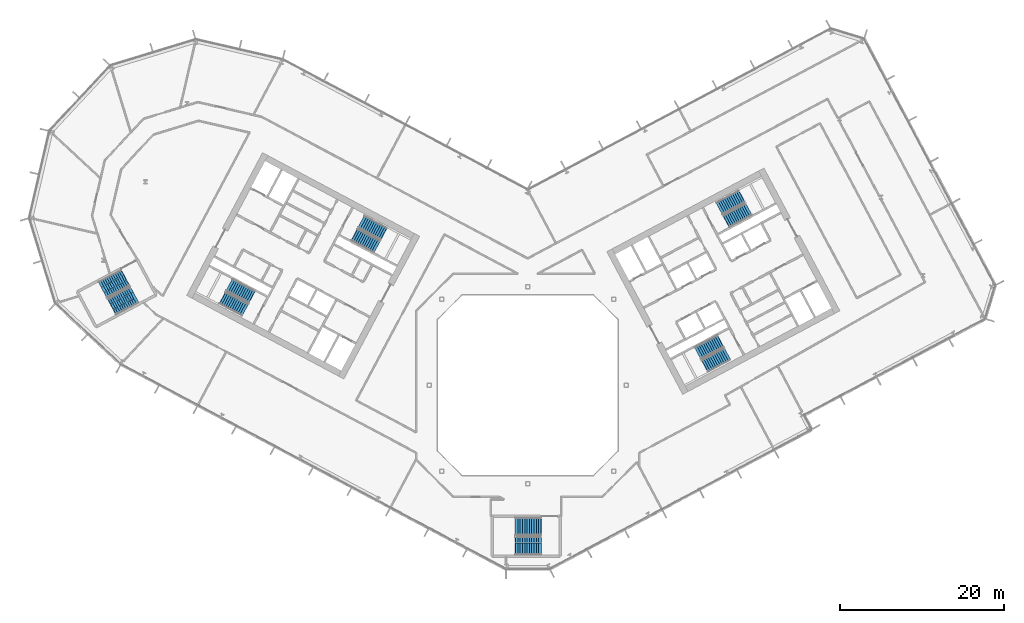
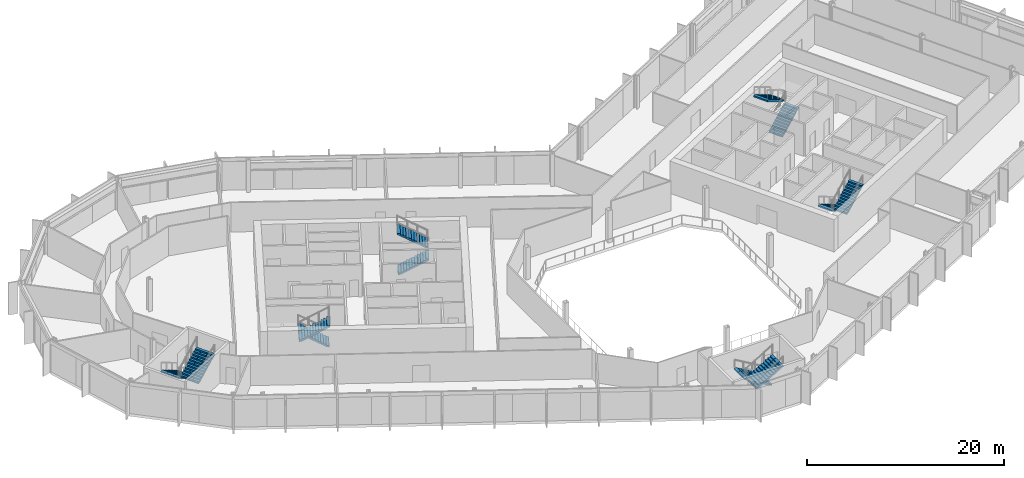
# One storey, part 18 of 28: 12 stair flights, 6 elements without a shape of their own.
"""IFC4 building model written with IfcOpenShell, lengths in metres."""

from ifc_helpers import new_model, si_unit, direction, frame, origin, place, context, subcontext, project, spatial, polyline, outline, extrude, material, type_object, element, aggregate, save


model = new_model("IFC4")

# Units and contexts
model_context = context("Model", 3, precision=1e-05, world=origin(), true_north=direction((0.0, 1.0)))
body_context = subcontext(model_context, "Body", "Model", "MODEL_VIEW")
ifc_project = project(units=[si_unit("LENGTHUNIT", "METRE"), si_unit("AREAUNIT", "SQUARE_METRE"), si_unit("VOLUMEUNIT", "CUBIC_METRE"), si_unit("PLANEANGLEUNIT", "RADIAN"), si_unit("MASSUNIT", "GRAM", prefix="KILO")], contexts=[model_context])

# Site, building, storey
site_placement = place(None, origin())
site = spatial("IfcSite", under=ifc_project, at=site_placement, CompositionType="ELEMENT")
building_placement = place(site_placement, origin())
building = spatial("IfcBuilding", under=site, at=building_placement, Name="Cormorant Relay Tower", CompositionType="ELEMENT")
storey_placement = place(building_placement, frame((0.0, 0.0, 150.199951171875)))
storey = spatial("IfcBuildingStorey", under=building, at=storey_placement, Name="L31", CompositionType="ELEMENT", Elevation=150.199951171875)

# Stair, stair flights
ifc_material_1 = material(Name="Concrete 40 MPa", Category="concrete")
stair_type_1 = type_object("IfcStairType", Name="Exit stair 1500", PredefinedType="HALF_TURN_STAIR", material=ifc_material_1)
stair_1_placement = place(storey_placement, origin())
stair_1 = element("IfcStair", 1, at=stair_1_placement, inside=storey, type_object=stair_type_1, Name="L31 Stair", PredefinedType="HALF_TURN_STAIR")
ifc_material_2 = material(Name="Concrete 40 MPa", Category="concrete")
stair_flight_type_1 = type_object("IfcStairFlightType", Name="Exit stair flight 1650", PredefinedType="STRAIGHT", material=ifc_material_2)
stair_flight_1_placement = place(storey_placement, frame((-21.114501953125, 18.33349609375, 0.0), z_axis=(0.0, 0.0, 1.0), x_axis=(0.882947592859, -0.469471562786, 0.0)))
stair_flight_1 = element("IfcStairFlight", 2, at=stair_flight_1_placement, type_object=stair_flight_type_1, Name="A1 flight 1", NumberOfRisers=12, NumberOfTreads=11, PredefinedType="STRAIGHT", RiserHeight=0.166666667, TreadLength=0.28, context=body_context, shape_type="SweptSolid", body=[
    extrude(outline(polyline([(-0.050048828125, -0.080078125), (-0.050048828125, 0.0), (0.0, 0.0), (0.0, 0.166748046875), (0.280029296875, 0.166748046875), (0.280029296875, 0.333251953125), (0.56005859375, 0.333251953125), (0.56005859375, 0.5), (0.840087890625, 0.5), (0.840087890625, 0.666748046875), (1.1201171875, 0.666748046875), (1.1201171875, 0.833251953125), (1.39990234375, 0.833251953125), (1.39990234375, 1.0), (1.679931640625, 1.0), (1.679931640625, 1.166748046875), (1.9599609375, 1.166748046875), (1.9599609375, 1.333251953125), (2.239990234375, 1.333251953125), (2.239990234375, 1.5), (2.52001953125, 1.5), (2.52001953125, 1.666748046875), (2.800048828125, 1.666748046875), (2.800048828125, 1.833251953125), (3.080078125, 1.833251953125), (3.130126953125, 1.833251953125), (3.130126953125, 1.658935546875), (3.080078125, 1.658935546875), (0.29296875, 0.0), (-0.050048828125, -0.080078125)])), frame((0.0, 0.824951171875, 0.0), z_axis=(0.0, -1.0, 0.0), x_axis=(1.0, 0.0, 0.0)), (0.0, 0.0, 1.0), 1.64990234375),
])
stair_flight_2_placement = place(storey_placement, frame((-17.5498046875, 18.47705078125, 2.0), z_axis=(0.0, 0.0, 1.0), x_axis=(-0.882947592859, 0.469471562786, 0.0)))
stair_flight_2 = element("IfcStairFlight", 3, at=stair_flight_2_placement, type_object=stair_flight_type_1, Name="A1 flight 2", NumberOfRisers=12, NumberOfTreads=11, PredefinedType="STRAIGHT", RiserHeight=0.166666667, TreadLength=0.28, context=body_context, shape_type="SweptSolid", body=[
    extrude(outline(polyline([(-0.050048828125, -0.080078125), (-0.050048828125, 0.0), (0.0, 0.0), (0.0, 0.166748046875), (0.280029296875, 0.166748046875), (0.280029296875, 0.333251953125), (0.56005859375, 0.333251953125), (0.56005859375, 0.5), (0.840087890625, 0.5), (0.840087890625, 0.666748046875), (1.1201171875, 0.666748046875), (1.1201171875, 0.833251953125), (1.39990234375, 0.833251953125), (1.39990234375, 1.0), (1.679931640625, 1.0), (1.679931640625, 1.166748046875), (1.9599609375, 1.166748046875), (1.9599609375, 1.333251953125), (2.239990234375, 1.333251953125), (2.239990234375, 1.5), (2.52001953125, 1.5), (2.52001953125, 1.666748046875), (2.800048828125, 1.666748046875), (2.800048828125, 1.833251953125), (3.080078125, 1.833251953125), (3.130126953125, 1.833251953125), (3.130126953125, 1.658935546875), (3.080078125, 1.658935546875), (0.29296875, 0.0), (-0.050048828125, -0.080078125)])), frame((0.0, 0.824951171875, 0.0), z_axis=(0.0, -1.0, 0.0), x_axis=(1.0, 0.0, 0.0)), (0.0, 0.0, 1.0), 1.64990234375),
])
aggregate(stair_1, [stair_flight_1, stair_flight_2])

stair_2_placement = place(storey_placement, origin())
stair_2 = element("IfcStair", 4, at=stair_2_placement, inside=storey, type_object=stair_type_1, Name="L31 Stair", PredefinedType="HALF_TURN_STAIR")
stair_flight_3_placement = place(storey_placement, frame((-33.62841796875, 10.773681640625, 0.0), z_axis=(0.0, 0.0, 1.0), x_axis=(-0.882947592859, 0.469471562786, 0.0)))
stair_flight_3 = element("IfcStairFlight", 5, at=stair_flight_3_placement, type_object=stair_flight_type_1, Name="A2 flight 1", NumberOfRisers=12, NumberOfTreads=11, PredefinedType="STRAIGHT", RiserHeight=0.166666667, TreadLength=0.28, context=body_context, shape_type="SweptSolid", body=[
    extrude(outline(polyline([(-0.050048828125, -0.080078125), (-0.050048828125, 0.0), (0.0, 0.0), (0.0, 0.166748046875), (0.280029296875, 0.166748046875), (0.280029296875, 0.333251953125), (0.56005859375, 0.333251953125), (0.56005859375, 0.5), (0.840087890625, 0.5), (0.840087890625, 0.666748046875), (1.1201171875, 0.666748046875), (1.1201171875, 0.833251953125), (1.39990234375, 0.833251953125), (1.39990234375, 1.0), (1.679931640625, 1.0), (1.679931640625, 1.166748046875), (1.9599609375, 1.166748046875), (1.9599609375, 1.333251953125), (2.239990234375, 1.333251953125), (2.239990234375, 1.5), (2.52001953125, 1.5), (2.52001953125, 1.666748046875), (2.800048828125, 1.666748046875), (2.800048828125, 1.833251953125), (3.080078125, 1.833251953125), (3.130126953125, 1.833251953125), (3.130126953125, 1.658935546875), (3.080078125, 1.658935546875), (0.29296875, 0.0), (-0.050048828125, -0.080078125)])), frame((0.0, 0.824951171875, 0.0), z_axis=(0.0, -1.0, 0.0), x_axis=(1.0, 0.0, 0.0)), (0.0, 0.0, 1.0), 1.64990234375),
])
stair_flight_4_placement = place(storey_placement, frame((-37.19287109375, 10.63037109375, 2.0), z_axis=(0.0, 0.0, 1.0), x_axis=(0.882947592859, -0.469471562786, 0.0)))
stair_flight_4 = element("IfcStairFlight", 6, at=stair_flight_4_placement, type_object=stair_flight_type_1, Name="A2 flight 2", NumberOfRisers=12, NumberOfTreads=11, PredefinedType="STRAIGHT", RiserHeight=0.166666667, TreadLength=0.28, context=body_context, shape_type="SweptSolid", body=[
    extrude(outline(polyline([(-0.050048828125, -0.080078125), (-0.050048828125, 0.0), (0.0, 0.0), (0.0, 0.166748046875), (0.280029296875, 0.166748046875), (0.280029296875, 0.333251953125), (0.56005859375, 0.333251953125), (0.56005859375, 0.5), (0.840087890625, 0.5), (0.840087890625, 0.666748046875), (1.1201171875, 0.666748046875), (1.1201171875, 0.833251953125), (1.39990234375, 0.833251953125), (1.39990234375, 1.0), (1.679931640625, 1.0), (1.679931640625, 1.166748046875), (1.9599609375, 1.166748046875), (1.9599609375, 1.333251953125), (2.239990234375, 1.333251953125), (2.239990234375, 1.5), (2.52001953125, 1.5), (2.52001953125, 1.666748046875), (2.800048828125, 1.666748046875), (2.800048828125, 1.833251953125), (3.080078125, 1.833251953125), (3.130126953125, 1.833251953125), (3.130126953125, 1.658935546875), (3.080078125, 1.658935546875), (0.29296875, 0.0), (-0.050048828125, -0.080078125)])), frame((0.0, 0.824951171875, 0.0), z_axis=(0.0, -1.0, 0.0), x_axis=(1.0, 0.0, 0.0)), (0.0, 0.0, 1.0), 1.64990234375),
])
aggregate(stair_2, [stair_flight_3, stair_flight_4])

stair_3_placement = place(storey_placement, origin())
stair_3 = element("IfcStair", 7, at=stair_3_placement, inside=storey, type_object=stair_type_1, Name="L31 Stair", PredefinedType="HALF_TURN_STAIR")
stair_flight_5_placement = place(storey_placement, frame((23.474365234375, 5.374755859375, 0.0), z_axis=(0.0, 0.0, 1.0), x_axis=(-0.882947592859, -0.469471562786, 0.0)))
stair_flight_5 = element("IfcStairFlight", 8, at=stair_flight_5_placement, type_object=stair_flight_type_1, Name="B1 flight 1", NumberOfRisers=12, NumberOfTreads=11, PredefinedType="STRAIGHT", RiserHeight=0.166666667, TreadLength=0.28, context=body_context, shape_type="SweptSolid", body=[
    extrude(outline(polyline([(-0.050048828125, -0.080078125), (-0.050048828125, 0.0), (0.0, 0.0), (0.0, 0.166748046875), (0.280029296875, 0.166748046875), (0.280029296875, 0.333251953125), (0.56005859375, 0.333251953125), (0.56005859375, 0.5), (0.840087890625, 0.5), (0.840087890625, 0.666748046875), (1.1201171875, 0.666748046875), (1.1201171875, 0.833251953125), (1.39990234375, 0.833251953125), (1.39990234375, 1.0), (1.679931640625, 1.0), (1.679931640625, 1.166748046875), (1.9599609375, 1.166748046875), (1.9599609375, 1.333251953125), (2.239990234375, 1.333251953125), (2.239990234375, 1.5), (2.52001953125, 1.5), (2.52001953125, 1.666748046875), (2.800048828125, 1.666748046875), (2.800048828125, 1.833251953125), (3.080078125, 1.833251953125), (3.130126953125, 1.833251953125), (3.130126953125, 1.658935546875), (3.080078125, 1.658935546875), (0.29296875, 0.0), (-0.050048828125, -0.080078125)])), frame((0.0, 0.824951171875, 0.0), z_axis=(0.0, -1.0, 0.0), x_axis=(1.0, 0.0, 0.0)), (0.0, 0.0, 1.0), 1.64990234375),
])
stair_flight_6_placement = place(storey_placement, frame((21.60009765625, 2.33935546875, 2.0), z_axis=(0.0, 0.0, 1.0), x_axis=(0.882947592859, 0.469471562786, 0.0)))
stair_flight_6 = element("IfcStairFlight", 9, at=stair_flight_6_placement, type_object=stair_flight_type_1, Name="B1 flight 2", NumberOfRisers=12, NumberOfTreads=11, PredefinedType="STRAIGHT", RiserHeight=0.166666667, TreadLength=0.28, context=body_context, shape_type="SweptSolid", body=[
    extrude(outline(polyline([(-0.050048828125, -0.080078125), (-0.050048828125, 0.0), (0.0, 0.0), (0.0, 0.166748046875), (0.280029296875, 0.166748046875), (0.280029296875, 0.333251953125), (0.56005859375, 0.333251953125), (0.56005859375, 0.5), (0.840087890625, 0.5), (0.840087890625, 0.666748046875), (1.1201171875, 0.666748046875), (1.1201171875, 0.833251953125), (1.39990234375, 0.833251953125), (1.39990234375, 1.0), (1.679931640625, 1.0), (1.679931640625, 1.166748046875), (1.9599609375, 1.166748046875), (1.9599609375, 1.333251953125), (2.239990234375, 1.333251953125), (2.239990234375, 1.5), (2.52001953125, 1.5), (2.52001953125, 1.666748046875), (2.800048828125, 1.666748046875), (2.800048828125, 1.833251953125), (3.080078125, 1.833251953125), (3.130126953125, 1.833251953125), (3.130126953125, 1.658935546875), (3.080078125, 1.658935546875), (0.29296875, 0.0), (-0.050048828125, -0.080078125)])), frame((0.0, 0.824951171875, 0.0), z_axis=(0.0, -1.0, 0.0), x_axis=(1.0, 0.0, 0.0)), (0.0, 0.0, 1.0), 1.64990234375),
])
aggregate(stair_3, [stair_flight_5, stair_flight_6])

stair_4_placement = place(storey_placement, origin())
stair_4 = element("IfcStair", 10, at=stair_4_placement, inside=storey, type_object=stair_type_1, Name="L31 Stair", PredefinedType="HALF_TURN_STAIR")
stair_flight_7_placement = place(storey_placement, frame((24.20458984375, 19.976806640625, 0.0), z_axis=(0.0, 0.0, 1.0), x_axis=(0.882947592859, 0.469471562786, 0.0)))
stair_flight_7 = element("IfcStairFlight", 11, at=stair_flight_7_placement, type_object=stair_flight_type_1, Name="B2 flight 1", NumberOfRisers=12, NumberOfTreads=11, PredefinedType="STRAIGHT", RiserHeight=0.166666667, TreadLength=0.28, context=body_context, shape_type="SweptSolid", body=[
    extrude(outline(polyline([(-0.050048828125, -0.080078125), (-0.050048828125, 0.0), (0.0, 0.0), (0.0, 0.166748046875), (0.280029296875, 0.166748046875), (0.280029296875, 0.333251953125), (0.56005859375, 0.333251953125), (0.56005859375, 0.5), (0.840087890625, 0.5), (0.840087890625, 0.666748046875), (1.1201171875, 0.666748046875), (1.1201171875, 0.833251953125), (1.39990234375, 0.833251953125), (1.39990234375, 1.0), (1.679931640625, 1.0), (1.679931640625, 1.166748046875), (1.9599609375, 1.166748046875), (1.9599609375, 1.333251953125), (2.239990234375, 1.333251953125), (2.239990234375, 1.5), (2.52001953125, 1.5), (2.52001953125, 1.666748046875), (2.800048828125, 1.666748046875), (2.800048828125, 1.833251953125), (3.080078125, 1.833251953125), (3.130126953125, 1.833251953125), (3.130126953125, 1.658935546875), (3.080078125, 1.658935546875), (0.29296875, 0.0), (-0.050048828125, -0.080078125)])), frame((0.0, 0.824951171875, 0.0), z_axis=(0.0, -1.0, 0.0), x_axis=(1.0, 0.0, 0.0)), (0.0, 0.0, 1.0), 1.64990234375),
])
stair_flight_8_placement = place(storey_placement, frame((26.0791015625, 23.011962890625, 2.0), z_axis=(0.0, 0.0, 1.0), x_axis=(-0.882947592859, -0.469471562786, 0.0)))
stair_flight_8 = element("IfcStairFlight", 12, at=stair_flight_8_placement, type_object=stair_flight_type_1, Name="B2 flight 2", NumberOfRisers=12, NumberOfTreads=11, PredefinedType="STRAIGHT", RiserHeight=0.166666667, TreadLength=0.28, context=body_context, shape_type="SweptSolid", body=[
    extrude(outline(polyline([(-0.050048828125, -0.080078125), (-0.050048828125, 0.0), (0.0, 0.0), (0.0, 0.166748046875), (0.280029296875, 0.166748046875), (0.280029296875, 0.333251953125), (0.56005859375, 0.333251953125), (0.56005859375, 0.5), (0.840087890625, 0.5), (0.840087890625, 0.666748046875), (1.1201171875, 0.666748046875), (1.1201171875, 0.833251953125), (1.39990234375, 0.833251953125), (1.39990234375, 1.0), (1.679931640625, 1.0), (1.679931640625, 1.166748046875), (1.9599609375, 1.166748046875), (1.9599609375, 1.333251953125), (2.239990234375, 1.333251953125), (2.239990234375, 1.5), (2.52001953125, 1.5), (2.52001953125, 1.666748046875), (2.800048828125, 1.666748046875), (2.800048828125, 1.833251953125), (3.080078125, 1.833251953125), (3.130126953125, 1.833251953125), (3.130126953125, 1.658935546875), (3.080078125, 1.658935546875), (0.29296875, 0.0), (-0.050048828125, -0.080078125)])), frame((0.0, 0.824951171875, 0.0), z_axis=(0.0, -1.0, 0.0), x_axis=(1.0, 0.0, 0.0)), (0.0, 0.0, 1.0), 1.64990234375),
])
aggregate(stair_4, [stair_flight_7, stair_flight_8])

ifc_material_3 = material(Name="Concrete 40 MPa", Category="concrete")
stair_type_2 = type_object("IfcStairType", Name="Remote exit stair 2200", PredefinedType="HALF_TURN_STAIR", material=ifc_material_3)
stair_5_placement = place(storey_placement, origin())
stair_5 = element("IfcStair", 13, at=stair_5_placement, inside=storey, type_object=stair_type_2, Name="L31 Stair", PredefinedType="HALF_TURN_STAIR")
ifc_material_4 = material(Name="Concrete 40 MPa", Category="concrete")
stair_flight_type_2 = type_object("IfcStairFlightType", Name="Remote exit stair flight 2200", PredefinedType="STRAIGHT", material=ifc_material_4)
stair_flight_9_placement = place(storey_placement, frame((1.60009765625, -17.22509765625, 0.0), z_axis=(0.0, 0.0, 1.0), x_axis=(-1.0, 0.0, 0.0)))
stair_flight_9 = element("IfcStairFlight", 14, at=stair_flight_9_placement, type_object=stair_flight_type_2, Name="RK1 flight 1", NumberOfRisers=12, NumberOfTreads=11, PredefinedType="STRAIGHT", RiserHeight=0.166666667, TreadLength=0.28, context=body_context, shape_type="SweptSolid", body=[
    extrude(outline(polyline([(-0.050048828125, -0.080078125), (-0.050048828125, 0.0), (0.0, 0.0), (0.0, 0.166748046875), (0.280029296875, 0.166748046875), (0.280029296875, 0.333251953125), (0.56005859375, 0.333251953125), (0.56005859375, 0.5), (0.840087890625, 0.5), (0.840087890625, 0.666748046875), (1.1201171875, 0.666748046875), (1.1201171875, 0.833251953125), (1.39990234375, 0.833251953125), (1.39990234375, 1.0), (1.679931640625, 1.0), (1.679931640625, 1.166748046875), (1.9599609375, 1.166748046875), (1.9599609375, 1.333251953125), (2.239990234375, 1.333251953125), (2.239990234375, 1.5), (2.52001953125, 1.5), (2.52001953125, 1.666748046875), (2.800048828125, 1.666748046875), (2.800048828125, 1.833251953125), (3.080078125, 1.833251953125), (3.130126953125, 1.833251953125), (3.130126953125, 1.658935546875), (3.080078125, 1.658935546875), (0.29296875, 0.0), (-0.050048828125, -0.080078125)])), frame((0.0, 1.10009765625, 0.0), z_axis=(0.0, -1.0, 0.0), x_axis=(1.0, 0.0, 0.0)), (0.0, 0.0, 1.0), 0.719970703125),
    extrude(outline(polyline([(-0.050048828125, -0.080078125), (-0.050048828125, 0.0), (0.0, 0.0), (0.0, 0.166748046875), (0.280029296875, 0.166748046875), (0.280029296875, 0.333251953125), (0.56005859375, 0.333251953125), (0.56005859375, 0.5), (0.840087890625, 0.5), (0.840087890625, 0.666748046875), (1.1201171875, 0.666748046875), (1.1201171875, 0.833251953125), (1.39990234375, 0.833251953125), (1.39990234375, 1.0), (1.679931640625, 1.0), (1.679931640625, 1.166748046875), (1.9599609375, 1.166748046875), (1.9599609375, 1.333251953125), (2.239990234375, 1.333251953125), (2.239990234375, 1.5), (2.52001953125, 1.5), (2.52001953125, 1.666748046875), (2.800048828125, 1.666748046875), (2.800048828125, 1.833251953125), (3.080078125, 1.833251953125), (3.130126953125, 1.833251953125), (3.130126953125, 1.658935546875), (3.080078125, 1.658935546875), (0.29296875, 0.0), (-0.050048828125, -0.080078125)])), frame((0.0, 0.360107421875, 0.0), z_axis=(0.0, -1.0, 0.0), x_axis=(1.0, 0.0, 0.0)), (0.0, 0.0, 1.0), 0.719970703125),
    extrude(outline(polyline([(-0.050048828125, -0.080078125), (-0.050048828125, 0.0), (0.0, 0.0), (0.0, 0.166748046875), (0.280029296875, 0.166748046875), (0.280029296875, 0.333251953125), (0.56005859375, 0.333251953125), (0.56005859375, 0.5), (0.840087890625, 0.5), (0.840087890625, 0.666748046875), (1.1201171875, 0.666748046875), (1.1201171875, 0.833251953125), (1.39990234375, 0.833251953125), (1.39990234375, 1.0), (1.679931640625, 1.0), (1.679931640625, 1.166748046875), (1.9599609375, 1.166748046875), (1.9599609375, 1.333251953125), (2.239990234375, 1.333251953125), (2.239990234375, 1.5), (2.52001953125, 1.5), (2.52001953125, 1.666748046875), (2.800048828125, 1.666748046875), (2.800048828125, 1.833251953125), (3.080078125, 1.833251953125), (3.130126953125, 1.833251953125), (3.130126953125, 1.658935546875), (3.080078125, 1.658935546875), (0.29296875, 0.0), (-0.050048828125, -0.080078125)])), frame((0.0, -0.3798828125, 0.0), z_axis=(0.0, -1.0, 0.0), x_axis=(1.0, 0.0, 0.0)), (0.0, 0.0, 1.0), 0.719970703125),
])
stair_flight_10_placement = place(storey_placement, frame((-1.47998046875, -19.574951171875, 2.0), z_axis=(0.0, 0.0, 1.0), x_axis=(1.0, 0.0, 0.0)))
stair_flight_10 = element("IfcStairFlight", 15, at=stair_flight_10_placement, type_object=stair_flight_type_2, Name="RK1 flight 2", NumberOfRisers=12, NumberOfTreads=11, PredefinedType="STRAIGHT", RiserHeight=0.166666667, TreadLength=0.28, context=body_context, shape_type="SweptSolid", body=[
    extrude(outline(polyline([(-0.050048828125, -0.080078125), (-0.050048828125, 0.0), (0.0, 0.0), (0.0, 0.166748046875), (0.280029296875, 0.166748046875), (0.280029296875, 0.333251953125), (0.56005859375, 0.333251953125), (0.56005859375, 0.5), (0.840087890625, 0.5), (0.840087890625, 0.666748046875), (1.1201171875, 0.666748046875), (1.1201171875, 0.833251953125), (1.39990234375, 0.833251953125), (1.39990234375, 1.0), (1.679931640625, 1.0), (1.679931640625, 1.166748046875), (1.9599609375, 1.166748046875), (1.9599609375, 1.333251953125), (2.239990234375, 1.333251953125), (2.239990234375, 1.5), (2.52001953125, 1.5), (2.52001953125, 1.666748046875), (2.800048828125, 1.666748046875), (2.800048828125, 1.833251953125), (3.080078125, 1.833251953125), (3.130126953125, 1.833251953125), (3.130126953125, 1.658935546875), (3.080078125, 1.658935546875), (0.29296875, 0.0), (-0.050048828125, -0.080078125)])), frame((0.0, 1.10009765625, 0.0), z_axis=(0.0, -1.0, 0.0), x_axis=(1.0, 0.0, 0.0)), (0.0, 0.0, 1.0), 0.719970703125),
    extrude(outline(polyline([(-0.050048828125, -0.080078125), (-0.050048828125, 0.0), (0.0, 0.0), (0.0, 0.166748046875), (0.280029296875, 0.166748046875), (0.280029296875, 0.333251953125), (0.56005859375, 0.333251953125), (0.56005859375, 0.5), (0.840087890625, 0.5), (0.840087890625, 0.666748046875), (1.1201171875, 0.666748046875), (1.1201171875, 0.833251953125), (1.39990234375, 0.833251953125), (1.39990234375, 1.0), (1.679931640625, 1.0), (1.679931640625, 1.166748046875), (1.9599609375, 1.166748046875), (1.9599609375, 1.333251953125), (2.239990234375, 1.333251953125), (2.239990234375, 1.5), (2.52001953125, 1.5), (2.52001953125, 1.666748046875), (2.800048828125, 1.666748046875), (2.800048828125, 1.833251953125), (3.080078125, 1.833251953125), (3.130126953125, 1.833251953125), (3.130126953125, 1.658935546875), (3.080078125, 1.658935546875), (0.29296875, 0.0), (-0.050048828125, -0.080078125)])), frame((0.0, 0.360107421875, 0.0), z_axis=(0.0, -1.0, 0.0), x_axis=(1.0, 0.0, 0.0)), (0.0, 0.0, 1.0), 0.719970703125),
    extrude(outline(polyline([(-0.050048828125, -0.080078125), (-0.050048828125, 0.0), (0.0, 0.0), (0.0, 0.166748046875), (0.280029296875, 0.166748046875), (0.280029296875, 0.333251953125), (0.56005859375, 0.333251953125), (0.56005859375, 0.5), (0.840087890625, 0.5), (0.840087890625, 0.666748046875), (1.1201171875, 0.666748046875), (1.1201171875, 0.833251953125), (1.39990234375, 0.833251953125), (1.39990234375, 1.0), (1.679931640625, 1.0), (1.679931640625, 1.166748046875), (1.9599609375, 1.166748046875), (1.9599609375, 1.333251953125), (2.239990234375, 1.333251953125), (2.239990234375, 1.5), (2.52001953125, 1.5), (2.52001953125, 1.666748046875), (2.800048828125, 1.666748046875), (2.800048828125, 1.833251953125), (3.080078125, 1.833251953125), (3.130126953125, 1.833251953125), (3.130126953125, 1.658935546875), (3.080078125, 1.658935546875), (0.29296875, 0.0), (-0.050048828125, -0.080078125)])), frame((0.0, -0.3798828125, 0.0), z_axis=(0.0, -1.0, 0.0), x_axis=(1.0, 0.0, 0.0)), (0.0, 0.0, 1.0), 0.719970703125),
])
aggregate(stair_5, [stair_flight_9, stair_flight_10])

stair_6_placement = place(storey_placement, origin())
stair_6 = element("IfcStair", 16, at=stair_6_placement, inside=storey, type_object=stair_type_2, Name="L31 Stair", PredefinedType="HALF_TURN_STAIR")
stair_flight_11_placement = place(storey_placement, frame((-49.062255859375, 13.08251953125, 0.0), z_axis=(0.0, 0.0, 1.0), x_axis=(-0.882947502727, -0.4694717323, 0.0)))
stair_flight_11 = element("IfcStairFlight", 17, at=stair_flight_11_placement, type_object=stair_flight_type_2, Name="RP1 flight 1", NumberOfRisers=12, NumberOfTreads=11, PredefinedType="STRAIGHT", RiserHeight=0.166666667, TreadLength=0.28, context=body_context, shape_type="SweptSolid", body=[
    extrude(outline(polyline([(-0.050048828125, -0.080078125), (-0.050048828125, 0.0), (0.0, 0.0), (0.0, 0.166748046875), (0.280029296875, 0.166748046875), (0.280029296875, 0.333251953125), (0.56005859375, 0.333251953125), (0.56005859375, 0.5), (0.840087890625, 0.5), (0.840087890625, 0.666748046875), (1.1201171875, 0.666748046875), (1.1201171875, 0.833251953125), (1.39990234375, 0.833251953125), (1.39990234375, 1.0), (1.679931640625, 1.0), (1.679931640625, 1.166748046875), (1.9599609375, 1.166748046875), (1.9599609375, 1.333251953125), (2.239990234375, 1.333251953125), (2.239990234375, 1.5), (2.52001953125, 1.5), (2.52001953125, 1.666748046875), (2.800048828125, 1.666748046875), (2.800048828125, 1.833251953125), (3.080078125, 1.833251953125), (3.130126953125, 1.833251953125), (3.130126953125, 1.658935546875), (3.080078125, 1.658935546875), (0.29296875, 0.0), (-0.050048828125, -0.080078125)])), frame((0.0, 1.10009765625, 0.0), z_axis=(0.0, -1.0, 0.0), x_axis=(1.0, 0.0, 0.0)), (0.0, 0.0, 1.0), 0.719970703125),
    extrude(outline(polyline([(-0.050048828125, -0.080078125), (-0.050048828125, 0.0), (0.0, 0.0), (0.0, 0.166748046875), (0.280029296875, 0.166748046875), (0.280029296875, 0.333251953125), (0.56005859375, 0.333251953125), (0.56005859375, 0.5), (0.840087890625, 0.5), (0.840087890625, 0.666748046875), (1.1201171875, 0.666748046875), (1.1201171875, 0.833251953125), (1.39990234375, 0.833251953125), (1.39990234375, 1.0), (1.679931640625, 1.0), (1.679931640625, 1.166748046875), (1.9599609375, 1.166748046875), (1.9599609375, 1.333251953125), (2.239990234375, 1.333251953125), (2.239990234375, 1.5), (2.52001953125, 1.5), (2.52001953125, 1.666748046875), (2.800048828125, 1.666748046875), (2.800048828125, 1.833251953125), (3.080078125, 1.833251953125), (3.130126953125, 1.833251953125), (3.130126953125, 1.658935546875), (3.080078125, 1.658935546875), (0.29296875, 0.0), (-0.050048828125, -0.080078125)])), frame((0.0, 0.360107421875, 0.0), z_axis=(0.0, -1.0, 0.0), x_axis=(1.0, 0.0, 0.0)), (0.0, 0.0, 1.0), 0.719970703125),
    extrude(outline(polyline([(-0.050048828125, -0.080078125), (-0.050048828125, 0.0), (0.0, 0.0), (0.0, 0.166748046875), (0.280029296875, 0.166748046875), (0.280029296875, 0.333251953125), (0.56005859375, 0.333251953125), (0.56005859375, 0.5), (0.840087890625, 0.5), (0.840087890625, 0.666748046875), (1.1201171875, 0.666748046875), (1.1201171875, 0.833251953125), (1.39990234375, 0.833251953125), (1.39990234375, 1.0), (1.679931640625, 1.0), (1.679931640625, 1.166748046875), (1.9599609375, 1.166748046875), (1.9599609375, 1.333251953125), (2.239990234375, 1.333251953125), (2.239990234375, 1.5), (2.52001953125, 1.5), (2.52001953125, 1.666748046875), (2.800048828125, 1.666748046875), (2.800048828125, 1.833251953125), (3.080078125, 1.833251953125), (3.130126953125, 1.833251953125), (3.130126953125, 1.658935546875), (3.080078125, 1.658935546875), (0.29296875, 0.0), (-0.050048828125, -0.080078125)])), frame((0.0, -0.3798828125, 0.0), z_axis=(0.0, -1.0, 0.0), x_axis=(1.0, 0.0, 0.0)), (0.0, 0.0, 1.0), 0.719970703125),
])
stair_flight_12_placement = place(storey_placement, frame((-50.678466796875, 9.5615234375, 2.0), z_axis=(0.0, 0.0, 1.0), x_axis=(0.882947502727, 0.4694717323, 0.0)))
stair_flight_12 = element("IfcStairFlight", 18, at=stair_flight_12_placement, type_object=stair_flight_type_2, Name="RP1 flight 2", NumberOfRisers=12, NumberOfTreads=11, PredefinedType="STRAIGHT", RiserHeight=0.166666667, TreadLength=0.28, context=body_context, shape_type="SweptSolid", body=[
    extrude(outline(polyline([(-0.050048828125, -0.080078125), (-0.050048828125, 0.0), (0.0, 0.0), (0.0, 0.166748046875), (0.280029296875, 0.166748046875), (0.280029296875, 0.333251953125), (0.56005859375, 0.333251953125), (0.56005859375, 0.5), (0.840087890625, 0.5), (0.840087890625, 0.666748046875), (1.1201171875, 0.666748046875), (1.1201171875, 0.833251953125), (1.39990234375, 0.833251953125), (1.39990234375, 1.0), (1.679931640625, 1.0), (1.679931640625, 1.166748046875), (1.9599609375, 1.166748046875), (1.9599609375, 1.333251953125), (2.239990234375, 1.333251953125), (2.239990234375, 1.5), (2.52001953125, 1.5), (2.52001953125, 1.666748046875), (2.800048828125, 1.666748046875), (2.800048828125, 1.833251953125), (3.080078125, 1.833251953125), (3.130126953125, 1.833251953125), (3.130126953125, 1.658935546875), (3.080078125, 1.658935546875), (0.29296875, 0.0), (-0.050048828125, -0.080078125)])), frame((0.0, 1.10009765625, 0.0), z_axis=(0.0, -1.0, 0.0), x_axis=(1.0, 0.0, 0.0)), (0.0, 0.0, 1.0), 0.719970703125),
    extrude(outline(polyline([(-0.050048828125, -0.080078125), (-0.050048828125, 0.0), (0.0, 0.0), (0.0, 0.166748046875), (0.280029296875, 0.166748046875), (0.280029296875, 0.333251953125), (0.56005859375, 0.333251953125), (0.56005859375, 0.5), (0.840087890625, 0.5), (0.840087890625, 0.666748046875), (1.1201171875, 0.666748046875), (1.1201171875, 0.833251953125), (1.39990234375, 0.833251953125), (1.39990234375, 1.0), (1.679931640625, 1.0), (1.679931640625, 1.166748046875), (1.9599609375, 1.166748046875), (1.9599609375, 1.333251953125), (2.239990234375, 1.333251953125), (2.239990234375, 1.5), (2.52001953125, 1.5), (2.52001953125, 1.666748046875), (2.800048828125, 1.666748046875), (2.800048828125, 1.833251953125), (3.080078125, 1.833251953125), (3.130126953125, 1.833251953125), (3.130126953125, 1.658935546875), (3.080078125, 1.658935546875), (0.29296875, 0.0), (-0.050048828125, -0.080078125)])), frame((0.0, 0.360107421875, 0.0), z_axis=(0.0, -1.0, 0.0), x_axis=(1.0, 0.0, 0.0)), (0.0, 0.0, 1.0), 0.719970703125),
    extrude(outline(polyline([(-0.050048828125, -0.080078125), (-0.050048828125, 0.0), (0.0, 0.0), (0.0, 0.166748046875), (0.280029296875, 0.166748046875), (0.280029296875, 0.333251953125), (0.56005859375, 0.333251953125), (0.56005859375, 0.5), (0.840087890625, 0.5), (0.840087890625, 0.666748046875), (1.1201171875, 0.666748046875), (1.1201171875, 0.833251953125), (1.39990234375, 0.833251953125), (1.39990234375, 1.0), (1.679931640625, 1.0), (1.679931640625, 1.166748046875), (1.9599609375, 1.166748046875), (1.9599609375, 1.333251953125), (2.239990234375, 1.333251953125), (2.239990234375, 1.5), (2.52001953125, 1.5), (2.52001953125, 1.666748046875), (2.800048828125, 1.666748046875), (2.800048828125, 1.833251953125), (3.080078125, 1.833251953125), (3.130126953125, 1.833251953125), (3.130126953125, 1.658935546875), (3.080078125, 1.658935546875), (0.29296875, 0.0), (-0.050048828125, -0.080078125)])), frame((0.0, -0.3798828125, 0.0), z_axis=(0.0, -1.0, 0.0), x_axis=(1.0, 0.0, 0.0)), (0.0, 0.0, 1.0), 0.719970703125),
])
aggregate(stair_6, [stair_flight_11, stair_flight_12])

save(model, "model.ifc")
